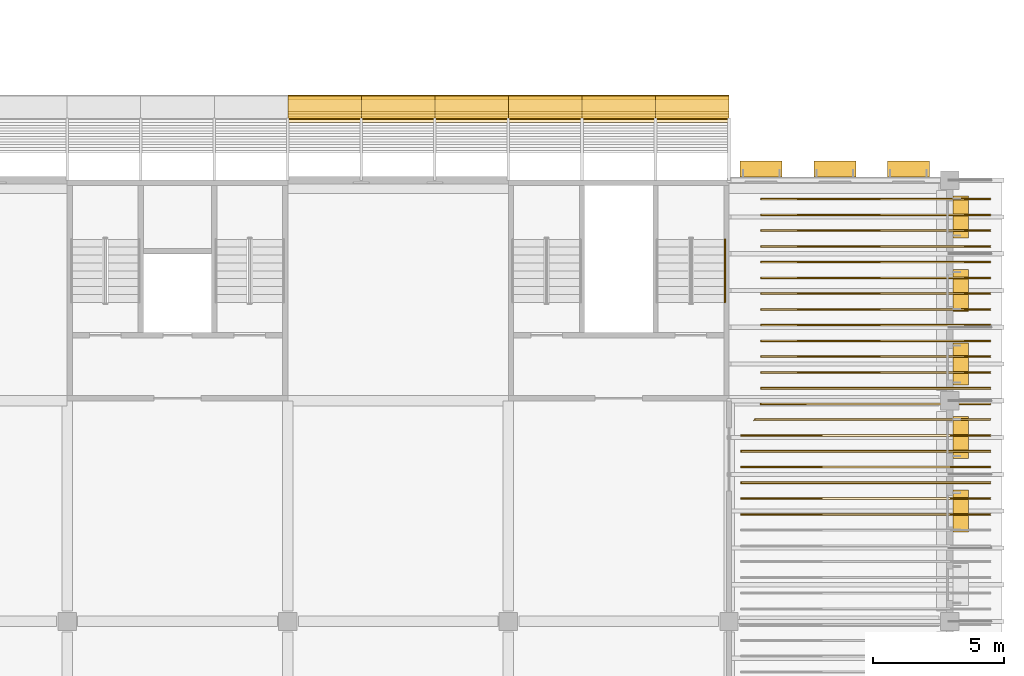
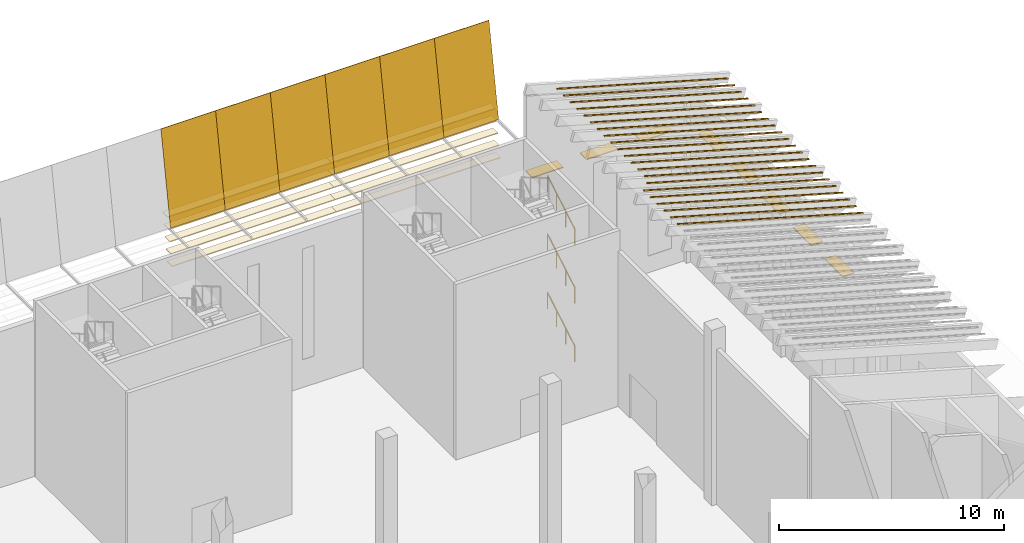
# One storey, part 114 of 114: 37 coverings, 8 shading devices, 3 railings.
"""IFC4 building model written with IfcOpenShell, lengths in metres."""

from ifc_helpers import new_model, si_unit, direction, frame, origin, origin_2d, place, context, subcontext, project, spatial, polyline, rectangle, circle, outline, extrude, material, layer, layer_set, material_profile, profile_set, type_object, element, save


model = new_model("IFC4")

# Units and contexts
model_context = context("Model", 3, precision=1e-05, world=origin(), true_north=direction((0.0, 1.0)))
body_context = subcontext(model_context, "Body", "Model", "MODEL_VIEW")
ifc_project = project(units=[si_unit("LENGTHUNIT", "METRE"), si_unit("AREAUNIT", "SQUARE_METRE"), si_unit("VOLUMEUNIT", "CUBIC_METRE"), si_unit("PLANEANGLEUNIT", "RADIAN"), si_unit("MASSUNIT", "GRAM", prefix="KILO")], contexts=[model_context])

# Site, building, storey
site_placement = place(None, origin())
site = spatial("IfcSite", under=ifc_project, at=site_placement, CompositionType="ELEMENT")
building_placement = place(site_placement, origin())
building = spatial("IfcBuilding", under=site, at=building_placement, Name="Almond Square Museum", CompositionType="ELEMENT")
storey_placement = place(building_placement, frame((0.0, 0.0, 10.5)))
storey = spatial("IfcBuildingStorey", under=building, at=storey_placement, Name="L02", CompositionType="ELEMENT", Elevation=10.5)

# Coverings
ifc_material_1 = material(Name="Cedar timber louvre board", Category="wood")
ifc_material_profile_1 = material_profile(ifc_material_1, rectangle(XDim=0.449951171875, YDim=0.050048828125, at=origin_2d()))
ifc_profile_set_1 = profile_set([ifc_material_profile_1], Name="Cedar timber louvre board")
covering_type_1 = type_object("IfcCoveringType", Name="Louvre board 450 x 50", PredefinedType="CLADDING", material=ifc_profile_set_1)
covering_1_placement = place(storey_placement, frame((132.0, 111.622314453125, 7.0), z_axis=(1.0, 0.0, 0.0), x_axis=(0.0, 1.0, 0.0)))
element("IfcCovering", 1, at=covering_1_placement, inside=storey, type_object=covering_type_1, Name="Louvre board N18.04", PredefinedType="CLADDING", context=body_context, shape_type="SweptSolid", body=[
    extrude(rectangle(XDim=0.449951171875, YDim=0.050048828125, at=origin_2d()), origin(), (0.0, 0.0, 1.0), 8.39990234375),
])
covering_2_placement = place(storey_placement, frame((140.39990234375, 111.622314453125, 7.0), z_axis=(1.0, 0.0, 0.0), x_axis=(0.0, 1.0, 0.0)))
element("IfcCovering", 2, at=covering_2_placement, inside=storey, type_object=covering_type_1, Name="Louvre board N18.05", PredefinedType="CLADDING", context=body_context, shape_type="SweptSolid", body=[
    extrude(rectangle(XDim=0.449951171875, YDim=0.050048828125, at=origin_2d()), origin(), (0.0, 0.0, 1.0), 8.400146484375),
])
covering_3_placement = place(storey_placement, frame((132.0, 111.728271484375, 7.60009765625), z_axis=(1.0, 0.0, 0.0), x_axis=(0.0, 1.0, 0.0)))
element("IfcCovering", 3, at=covering_3_placement, inside=storey, type_object=covering_type_1, Name="Louvre board N19.04", PredefinedType="CLADDING", context=body_context, shape_type="SweptSolid", body=[
    extrude(rectangle(XDim=0.449951171875, YDim=0.050048828125, at=origin_2d()), origin(), (0.0, 0.0, 1.0), 8.39990234375),
])
covering_4_placement = place(storey_placement, frame((140.39990234375, 111.728271484375, 7.60009765625), z_axis=(1.0, 0.0, 0.0), x_axis=(0.0, 1.0, 0.0)))
element("IfcCovering", 4, at=covering_4_placement, inside=storey, type_object=covering_type_1, Name="Louvre board N19.05", PredefinedType="CLADDING", context=body_context, shape_type="SweptSolid", body=[
    extrude(rectangle(XDim=0.449951171875, YDim=0.050048828125, at=origin_2d()), origin(), (0.0, 0.0, 1.0), 8.400146484375),
])
covering_5_placement = place(storey_placement, frame((132.0, 111.833984375, 8.199951171875), z_axis=(1.0, 0.0, 0.0), x_axis=(0.0, 1.0, 0.0)))
element("IfcCovering", 5, at=covering_5_placement, inside=storey, type_object=covering_type_1, Name="Louvre board N20.04", PredefinedType="CLADDING", context=body_context, shape_type="SweptSolid", body=[
    extrude(rectangle(XDim=0.449951171875, YDim=0.050048828125, at=origin_2d()), origin(), (0.0, 0.0, 1.0), 8.39990234375),
])
covering_6_placement = place(storey_placement, frame((140.39990234375, 111.833984375, 8.199951171875), z_axis=(1.0, 0.0, 0.0), x_axis=(0.0, 1.0, 0.0)))
element("IfcCovering", 6, at=covering_6_placement, inside=storey, type_object=covering_type_1, Name="Louvre board N20.05", PredefinedType="CLADDING", context=body_context, shape_type="SweptSolid", body=[
    extrude(rectangle(XDim=0.449951171875, YDim=0.050048828125, at=origin_2d()), origin(), (0.0, 0.0, 1.0), 8.400146484375),
])
covering_7_placement = place(storey_placement, frame((132.0, 111.939697265625, 8.800048828125), z_axis=(1.0, 0.0, 0.0), x_axis=(0.0, 1.0, 0.0)))
element("IfcCovering", 7, at=covering_7_placement, inside=storey, type_object=covering_type_1, Name="Louvre board N21.04", PredefinedType="CLADDING", context=body_context, shape_type="SweptSolid", body=[
    extrude(rectangle(XDim=0.449951171875, YDim=0.050048828125, at=origin_2d()), origin(), (0.0, 0.0, 1.0), 8.39990234375),
])
covering_8_placement = place(storey_placement, frame((140.39990234375, 111.939697265625, 8.800048828125), z_axis=(1.0, 0.0, 0.0), x_axis=(0.0, 1.0, 0.0)))
element("IfcCovering", 8, at=covering_8_placement, inside=storey, type_object=covering_type_1, Name="Louvre board N21.05", PredefinedType="CLADDING", context=body_context, shape_type="SweptSolid", body=[
    extrude(rectangle(XDim=0.449951171875, YDim=0.050048828125, at=origin_2d()), origin(), (0.0, 0.0, 1.0), 8.400146484375),
])
covering_9_placement = place(storey_placement, frame((132.0, 112.045654296875, 9.39990234375), z_axis=(1.0, 0.0, 0.0), x_axis=(0.0, 1.0, 0.0)))
element("IfcCovering", 9, at=covering_9_placement, inside=storey, type_object=covering_type_1, Name="Louvre board N22.04", PredefinedType="CLADDING", context=body_context, shape_type="SweptSolid", body=[
    extrude(rectangle(XDim=0.449951171875, YDim=0.050048828125, at=origin_2d()), origin(), (0.0, 0.0, 1.0), 8.39990234375),
])
covering_10_placement = place(storey_placement, frame((140.39990234375, 112.045654296875, 9.39990234375), z_axis=(1.0, 0.0, 0.0), x_axis=(0.0, 1.0, 0.0)))
element("IfcCovering", 10, at=covering_10_placement, inside=storey, type_object=covering_type_1, Name="Louvre board N22.05", PredefinedType="CLADDING", context=body_context, shape_type="SweptSolid", body=[
    extrude(rectangle(XDim=0.449951171875, YDim=0.050048828125, at=origin_2d()), origin(), (0.0, 0.0, 1.0), 8.400146484375),
])
ifc_material_2 = material(Name="Cedar timber sheathing panel", Category="wood")
ifc_layer_1 = layer(ifc_material_2, 0.030029296875)
ifc_layer_set_1 = layer_set([ifc_layer_1], Name="Cedar timber sheathing panel")
covering_type_2 = type_object("IfcCoveringType", Name="Louvre rain-screen backing panel 30", PredefinedType="CLADDING", material=ifc_layer_set_1)
for number, where, z_axis, x_axis, name in (
    (11, (132.0, 111.564697265625, 8.969970703125), (0.0, -0.984808947576, 0.173641402823), (1.0, 0.0, 0.0), "Louvre rain-screen backing panel N10.05"),
    (12, (134.800048828125, 111.564697265625, 8.969970703125), (0.0, -0.984808947576, 0.173641402823), (1.0, 0.0, 0.0), "Louvre rain-screen backing panel N11.05"),
):
    element("IfcCovering", number, at=place(storey_placement, frame(where, z_axis=z_axis, x_axis=x_axis)), inside=storey, type_object=covering_type_2, Name=name, PredefinedType="CLADDING", context=body_context, shape_type="SweptSolid", body=[
        extrude(outline(polyline([(0.0, 0.0), (2.800048828125, 0.0), (2.800048828125, 4.935076426587713), (0.0, 4.935076426587713), (0.0, 0.0)])), frame((0.0, 0.0, -0.01513671875)), (0.0, 0.0, 1.0), 0.030029296875),
    ])
covering_11_placement = place(storey_placement, frame((137.60009765625, 111.564697265625, 8.969970703125), z_axis=(0.0, -0.984808947576, 0.173641402823), x_axis=(1.0, 0.0, 0.0)))
element("IfcCovering", 13, at=covering_11_placement, inside=storey, type_object=covering_type_2, Name="Louvre rain-screen backing panel N12.05", PredefinedType="CLADDING", context=body_context, shape_type="SweptSolid", body=[
    extrude(outline(polyline([(0.0, 0.0), (2.7998046875, 0.0), (2.7998046875, 4.935076426587713), (0.0, 4.935076426587713), (0.0, 0.0)])), frame((0.0, 0.0, -0.01513671875)), (0.0, 0.0, 1.0), 0.030029296875),
])
for number, where, z_axis, x_axis, name in (
    (14, (140.39990234375, 111.564697265625, 8.969970703125), (0.0, -0.984808947576, 0.173641402823), (1.0, 0.0, 0.0), "Louvre rain-screen backing panel N13.05"),
    (15, (143.199951171875, 111.564697265625, 8.969970703125), (0.0, -0.984808947576, 0.173641402823), (1.0, 0.0, 0.0), "Louvre rain-screen backing panel N14.05"),
    (16, (146.0, 111.564697265625, 8.969970703125), (0.0, -0.984808947576, 0.173641402823), (1.0, 0.0, 0.0), "Louvre rain-screen backing panel N15.05"),
):
    element("IfcCovering", number, at=place(storey_placement, frame(where, z_axis=z_axis, x_axis=x_axis)), inside=storey, type_object=covering_type_2, Name=name, PredefinedType="CLADDING", context=body_context, shape_type="SweptSolid", body=[
        extrude(outline(polyline([(0.0, 0.0), (2.800048828125, 0.0), (2.800048828125, 4.935076426587713), (0.0, 4.935076426587713), (0.0, 0.0)])), frame((0.0, 0.0, -0.01513671875)), (0.0, 0.0, 1.0), 0.030029296875),
    ])
ifc_material_3 = material(Name="Zinc standing seam")
ifc_layer_2 = layer(ifc_material_3, 0.0400390625)
ifc_layer_set_2 = layer_set([ifc_layer_2], Name="Zinc standing seam")
covering_type_3 = type_object("IfcCoveringType", Name="Roof standing seam rib 60 x 40", PredefinedType="CLADDING", material=ifc_layer_set_2)
for number, where, z_axis, x_axis, name in (
    (17, (158.75, 96.510009765625, 9.55712890625), (0.274727655105, 0.0, 0.9615220827), (-0.9615220827, 0.0, 0.274727655105), "Roof standing seam rib"),
    (18, (158.75, 97.110107421875, 9.55712890625), (0.274727655105, 0.0, 0.9615220827), (-0.9615220827, 0.0, 0.274727655105), "Roof standing seam rib"),
    (19, (158.75, 97.7099609375, 9.55712890625), (0.274727655105, 0.0, 0.9615220827), (-0.9615220827, 0.0, 0.274727655105), "Roof standing seam rib"),
    (20, (158.75, 98.31005859375, 9.55712890625), (0.274727655105, 0.0, 0.9615220827), (-0.9615220827, 0.0, 0.274727655105), "Roof standing seam rib"),
):
    element("IfcCovering", number, at=place(storey_placement, frame(where, z_axis=z_axis, x_axis=x_axis)), inside=storey, type_object=covering_type_3, Name=name, PredefinedType="CLADDING", context=body_context, shape_type="SweptSolid", body=[
        extrude(outline(polyline([(0.0, 0.0), (9.880168298704888, 0.0), (9.880168298704888, 0.06005859375), (0.0, 0.06005859375), (0.0, 0.0)])), origin(), (0.0, 0.0, 1.0), 0.0400390625),
    ])
covering_12_placement = place(storey_placement, frame((158.75, 98.909912109375, 9.55712890625), z_axis=(0.274727655105, 0.0, 0.9615220827), x_axis=(-0.9615220827, 0.0, 0.274727655105)))
element("IfcCovering", 21, at=covering_12_placement, inside=storey, type_object=covering_type_3, Name="Roof standing seam rib", PredefinedType="CLADDING", context=body_context, shape_type="SweptSolid", body=[
    extrude(outline(polyline([(0.0, 0.0), (9.880168298704888, 0.0), (9.880168298704888, 0.059814453125000014), (0.0, 0.059814453125000014), (0.0, 0.0)])), origin(), (0.0, 0.0, 1.0), 0.0400390625),
])
covering_13_placement = place(storey_placement, frame((158.75, 99.510009765625, 9.55712890625), z_axis=(0.274727655105, 0.0, 0.9615220827), x_axis=(-0.9615220827, 0.0, 0.274727655105)))
element("IfcCovering", 22, at=covering_13_placement, inside=storey, type_object=covering_type_3, Name="Roof standing seam rib", PredefinedType="CLADDING", context=body_context, shape_type="SweptSolid", body=[
    extrude(outline(polyline([(0.0, 0.0), (9.880168298704888, 0.0), (9.880168298704888, 0.06005859375), (0.0, 0.06005859375), (0.0, 0.0)])), origin(), (0.0, 0.0, 1.0), 0.0400390625),
])
covering_14_placement = place(storey_placement, frame((158.75, 100.110107421875, 9.55712890625), z_axis=(0.274724575997, -1.379641e-06, 0.961522962462), x_axis=(-0.961522962463, 0.0, 0.274724575998)))
element("IfcCovering", 23, at=covering_14_placement, inside=storey, type_object=covering_type_3, Name="Roof standing seam rib", PredefinedType="CLADDING", context=body_context, shape_type="SweptSolid", body=[
    extrude(outline(polyline([(0.0, 0.0), (9.328412107461398, 4.235164736271502e-22), (9.374623742500479, 0.06005859375017204), (-7.35995173987992e-16, 0.060058593749942844), (0.0, 0.0)])), origin(), (0.0, 0.0, 1.0), 0.0400390625),
])
covering_15_placement = place(storey_placement, frame((158.75, 100.64990234375, 9.55712890625), z_axis=(0.274727823283, 0.001674733795, 0.961520576161), x_axis=(-0.000460096615, 0.999998597632, -0.001610293262)))
element("IfcCovering", 24, at=covering_15_placement, inside=storey, type_object=covering_type_3, Name="Roof standing seam rib", PredefinedType="CLADDING", context=body_context, shape_type="SweptSolid", body=[
    extrude(outline(polyline([(0.0, 0.0), (0.060058509525772484, 0.0), (0.06005867797434563, 9.104698161081686), (-1.6844857314395056e-07, 9.111103403704398), (0.0, 0.0)])), origin(), (0.0, 0.0, 1.0), 0.0400390625),
])
covering_16_placement = place(storey_placement, frame((158.75, 101.31005859375, 9.55712890625), z_axis=(0.274721127897, 0.0, 0.961523947641), x_axis=(-0.961523947641, 0.0, 0.274721127897)))
element("IfcCovering", 25, at=covering_16_placement, inside=storey, type_object=covering_type_3, Name="Roof standing seam rib", PredefinedType="CLADDING", context=body_context, shape_type="SweptSolid", body=[
    extrude(outline(polyline([(0.0, 0.0), (9.100137361600648, 0.0), (9.100137361600648, 0.060058593750000014), (0.0, 0.060058593750000014), (0.0, 0.0)])), origin(), (0.0, 0.0, 1.0), 0.0400390625),
])
covering_17_placement = place(storey_placement, frame((158.75, 101.909912109375, 9.55712890625), z_axis=(0.274721127897, 0.0, 0.961523947641), x_axis=(-0.961523947641, 0.0, 0.274721127897)))
element("IfcCovering", 26, at=covering_17_placement, inside=storey, type_object=covering_type_3, Name="Roof standing seam rib", PredefinedType="CLADDING", context=body_context, shape_type="SweptSolid", body=[
    extrude(outline(polyline([(0.0, 0.0), (9.100137361600648, 0.0), (9.100137361600648, 0.059814453125), (0.0, 0.059814453125), (0.0, 0.0)])), origin(), (0.0, 0.0, 1.0), 0.0400390625),
])
for number, where, z_axis, x_axis, name in (
    (27, (158.75, 102.510009765625, 9.55712890625), (0.274721127897, 0.0, 0.961523947641), (-0.961523947641, 0.0, 0.274721127897), "Roof standing seam rib"),
    (28, (158.75, 103.110107421875, 9.55712890625), (0.274721127897, 0.0, 0.961523947641), (-0.961523947641, 0.0, 0.274721127897), "Roof standing seam rib"),
    (29, (158.75, 103.7099609375, 9.55712890625), (0.274721127897, 0.0, 0.961523947641), (-0.961523947641, 0.0, 0.274721127897), "Roof standing seam rib"),
    (30, (158.75, 104.31005859375, 9.55712890625), (0.274721127897, 0.0, 0.961523947641), (-0.961523947641, 0.0, 0.274721127897), "Roof standing seam rib"),
):
    element("IfcCovering", number, at=place(storey_placement, frame(where, z_axis=z_axis, x_axis=x_axis)), inside=storey, type_object=covering_type_3, Name=name, PredefinedType="CLADDING", context=body_context, shape_type="SweptSolid", body=[
        extrude(outline(polyline([(0.0, 0.0), (9.100137361600648, 0.0), (9.100137361600648, 0.060058593750000014), (0.0, 0.060058593750000014), (0.0, 0.0)])), origin(), (0.0, 0.0, 1.0), 0.0400390625),
    ])
covering_18_placement = place(storey_placement, frame((158.75, 104.909912109375, 9.55712890625), z_axis=(0.274721127897, 0.0, 0.961523947641), x_axis=(-0.961523947641, 0.0, 0.274721127897)))
element("IfcCovering", 31, at=covering_18_placement, inside=storey, type_object=covering_type_3, Name="Roof standing seam rib", PredefinedType="CLADDING", context=body_context, shape_type="SweptSolid", body=[
    extrude(outline(polyline([(0.0, 0.0), (9.100137361600648, 0.0), (9.100137361600648, 0.059814453125), (0.0, 0.059814453125), (0.0, 0.0)])), origin(), (0.0, 0.0, 1.0), 0.0400390625),
])
for number, where, z_axis, x_axis, name in (
    (32, (158.75, 105.510009765625, 9.55712890625), (0.274721127897, 0.0, 0.961523947641), (-0.961523947641, 0.0, 0.274721127897), "Roof standing seam rib"),
    (33, (158.75, 106.110107421875, 9.55712890625), (0.274721127897, 0.0, 0.961523947641), (-0.961523947641, 0.0, 0.274721127897), "Roof standing seam rib"),
    (34, (158.75, 106.7099609375, 9.55712890625), (0.274721127897, 0.0, 0.961523947641), (-0.961523947641, 0.0, 0.274721127897), "Roof standing seam rib"),
    (35, (158.75, 107.31005859375, 9.55712890625), (0.274721127897, 0.0, 0.961523947641), (-0.961523947641, 0.0, 0.274721127897), "Roof standing seam rib"),
):
    element("IfcCovering", number, at=place(storey_placement, frame(where, z_axis=z_axis, x_axis=x_axis)), inside=storey, type_object=covering_type_3, Name=name, PredefinedType="CLADDING", context=body_context, shape_type="SweptSolid", body=[
        extrude(outline(polyline([(0.0, 0.0), (9.100137361600648, 0.0), (9.100137361600648, 0.060058593750000014), (0.0, 0.060058593750000014), (0.0, 0.0)])), origin(), (0.0, 0.0, 1.0), 0.0400390625),
    ])
covering_19_placement = place(storey_placement, frame((158.75, 107.909912109375, 9.55712890625), z_axis=(0.274721127897, 0.0, 0.961523947641), x_axis=(-0.961523947641, 0.0, 0.274721127897)))
element("IfcCovering", 36, at=covering_19_placement, inside=storey, type_object=covering_type_3, Name="Roof standing seam rib", PredefinedType="CLADDING", context=body_context, shape_type="SweptSolid", body=[
    extrude(outline(polyline([(0.0, 0.0), (9.100137361600648, 0.0), (9.100137361600648, 0.059814453125), (0.0, 0.059814453125), (0.0, 0.0)])), origin(), (0.0, 0.0, 1.0), 0.0400390625),
])
covering_20_placement = place(storey_placement, frame((158.75, 108.510009765625, 9.55712890625), z_axis=(0.274721127897, 0.0, 0.961523947641), x_axis=(-0.961523947641, 0.0, 0.274721127897)))
element("IfcCovering", 37, at=covering_20_placement, inside=storey, type_object=covering_type_3, Name="Roof standing seam rib", PredefinedType="CLADDING", context=body_context, shape_type="SweptSolid", body=[
    extrude(outline(polyline([(0.0, 0.0), (9.100137361600648, 0.0), (9.100137361600648, 0.060058593750000014), (0.0, 0.060058593750000014), (0.0, 0.0)])), origin(), (0.0, 0.0, 1.0), 0.0400390625),
])

# Railings
ifc_material_4 = material(Name="Stainless steel", Category="steel")
railing_type = type_object("IfcRailingType", Name="Stair handrail 900 steel", PredefinedType="HANDRAIL", material=ifc_material_4)
railing_placement = place(storey_placement, frame((148.64501953125, 104.550048828125, 0.176025390625)))
element("IfcRailing", 38, at=railing_placement, inside=storey, type_object=railing_type, Name="L02 ST-06 stair handrail 1", PredefinedType="HANDRAIL", context=body_context, shape_type="SweptSolid", body=[
    extrude(circle(Radius=0.02392578125, at=origin_2d()), frame((0.0, 0.0, 0.8759765625), z_axis=(0.0, 0.862637233918, 0.505823094232), x_axis=(-1.0, 0.0, 0.0)), (0.0, 0.0, 1.0), 2.781982421875),
    extrude(circle(Radius=0.02099609375, at=origin_2d()), origin(), (0.0, 0.0, 1.0), 0.851806640625),
    extrude(circle(Radius=0.02099609375, at=origin_2d()), frame((0.0, 0.800048828125, 0.468994140625)), (0.0, 0.0, 1.0), 0.851806640625),
    extrude(circle(Radius=0.02099609375, at=origin_2d()), frame((0.0, 1.599853515625, 0.938232421875)), (0.0, 0.0, 1.0), 0.851806640625),
    extrude(circle(Radius=0.02099609375, at=origin_2d()), frame((0.0, 2.39990234375, 1.4072265625)), (0.0, 0.0, 1.0), 0.851806640625),
])
for number, where, name in (
    (39, (148.64501953125, 104.550048828125, 3.342529296875), "L02 ST-06 stair handrail 3"),
    (40, (148.64501953125, 104.550048828125, 6.50927734375), "L02 ST-06 stair handrail 5"),
):
    element("IfcRailing", number, at=place(storey_placement, frame(where)), inside=storey, type_object=railing_type, Name=name, PredefinedType="HANDRAIL", context=body_context, shape_type="SweptSolid", body=[
        extrude(circle(Radius=0.02392578125, at=origin_2d()), frame((0.0, 0.0, 0.8759765625), z_axis=(0.0, 0.86259894172, 0.505888392576), x_axis=(-1.0, 0.0, 0.0)), (0.0, 0.0, 1.0), 2.7822265625),
        extrude(circle(Radius=0.02099609375, at=origin_2d()), origin(), (0.0, 0.0, 1.0), 0.851806640625),
        extrude(circle(Radius=0.02099609375, at=origin_2d()), frame((0.0, 0.800048828125, 0.46923828125)), (0.0, 0.0, 1.0), 0.851806640625),
        extrude(circle(Radius=0.02099609375, at=origin_2d()), frame((0.0, 1.599853515625, 0.938232421875)), (0.0, 0.0, 1.0), 0.851806640625),
        extrude(circle(Radius=0.02099609375, at=origin_2d()), frame((0.0, 2.39990234375, 1.407470703125)), (0.0, 0.0, 1.0), 0.851806640625),
    ])

# Shading devices
ifc_material_5 = material(Name="Anodised aluminium", Category="aluminium")
ifc_material_profile_2 = material_profile(ifc_material_5, rectangle(XDim=0.60009765625, YDim=0.050048828125, at=origin_2d()))
ifc_profile_set_2 = profile_set([ifc_material_profile_2], Name="Anodised aluminium")
shading_device_type = type_object("IfcShadingDeviceType", Name="Sun-shade blade 600 x 50", PredefinedType="USERDEFINED", material=ifc_profile_set_2)
for number, where, z_axis, x_axis, name in (
    (41, (157.623046875, 95.800048828125, 7.02001953125), (0.0, 1.0, 0.0), (-1.0, 0.0, 0.0), "Sun-shade blade"),
    (42, (157.623046875, 98.60009765625, 7.02001953125), (0.0, 1.0, 0.0), (-1.0, 0.0, 0.0), "Sun-shade blade"),
):
    element("IfcShadingDevice", number, at=place(storey_placement, frame(where, z_axis=z_axis, x_axis=x_axis)), inside=storey, type_object=shading_device_type, Name=name, ObjectType="LOUVRE", PredefinedType="USERDEFINED", context=body_context, shape_type="SweptSolid", body=[
        extrude(rectangle(XDim=0.60009765625, YDim=0.050048828125, at=origin_2d()), origin(), (0.0, 0.0, 1.0), 1.599853515625),
    ])
for number, where, z_axis, x_axis, name in (
    (43, (157.623046875, 101.39990234375, 7.02001953125), (0.0, 1.0, 0.0), (-1.0, 0.0, 0.0), "Sun-shade blade"),
    (44, (157.623046875, 104.199951171875, 7.02001953125), (0.0, 1.0, 0.0), (-1.0, 0.0, 0.0), "Sun-shade blade"),
    (45, (157.623046875, 107.0, 7.02001953125), (0.0, 1.0, 0.0), (-1.0, 0.0, 0.0), "Sun-shade blade"),
):
    element("IfcShadingDevice", number, at=place(storey_placement, frame(where, z_axis=z_axis, x_axis=x_axis)), inside=storey, type_object=shading_device_type, Name=name, ObjectType="LOUVRE", PredefinedType="USERDEFINED", context=body_context, shape_type="SweptSolid", body=[
        extrude(rectangle(XDim=0.60009765625, YDim=0.050048828125, at=origin_2d()), origin(), (0.0, 0.0, 1.0), 1.60009765625),
    ])
shading_device_placement = place(storey_placement, frame((149.22509765625, 109.623046875, 7.02001953125), z_axis=(1.0, 0.0, 0.0), x_axis=(0.0, 1.0, 0.0)))
element("IfcShadingDevice", 46, at=shading_device_placement, inside=storey, type_object=shading_device_type, Name="Sun-shade blade", ObjectType="LOUVRE", PredefinedType="USERDEFINED", context=body_context, shape_type="SweptSolid", body=[
    extrude(rectangle(XDim=0.60009765625, YDim=0.050048828125, at=origin_2d()), origin(), (0.0, 0.0, 1.0), 1.599853515625),
])
for number, where, z_axis, x_axis, name in (
    (47, (152.02490234375, 109.623046875, 7.02001953125), (1.0, 0.0, 0.0), (0.0, 1.0, 0.0), "Sun-shade blade"),
    (48, (154.824951171875, 109.623046875, 7.02001953125), (1.0, 0.0, 0.0), (0.0, 1.0, 0.0), "Sun-shade blade"),
):
    element("IfcShadingDevice", number, at=place(storey_placement, frame(where, z_axis=z_axis, x_axis=x_axis)), inside=storey, type_object=shading_device_type, Name=name, ObjectType="LOUVRE", PredefinedType="USERDEFINED", context=body_context, shape_type="SweptSolid", body=[
        extrude(rectangle(XDim=0.60009765625, YDim=0.050048828125, at=origin_2d()), origin(), (0.0, 0.0, 1.0), 1.60009765625),
    ])

save(model, "model.ifc")
